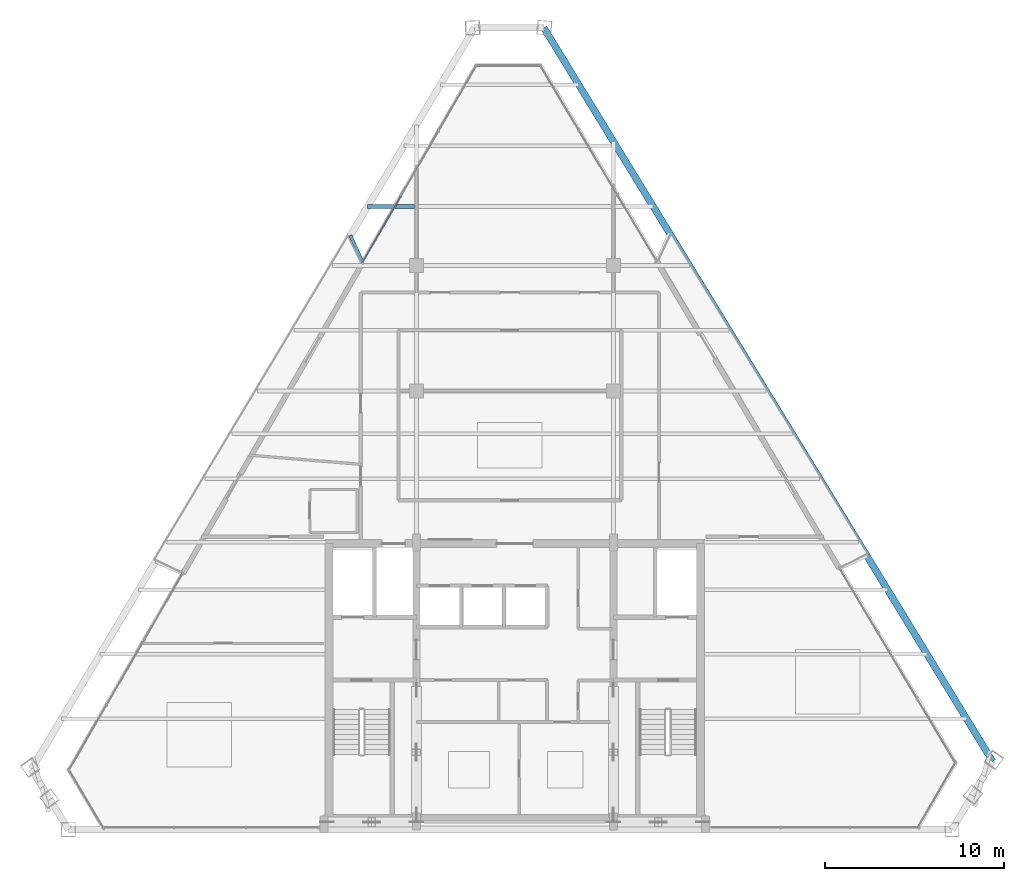
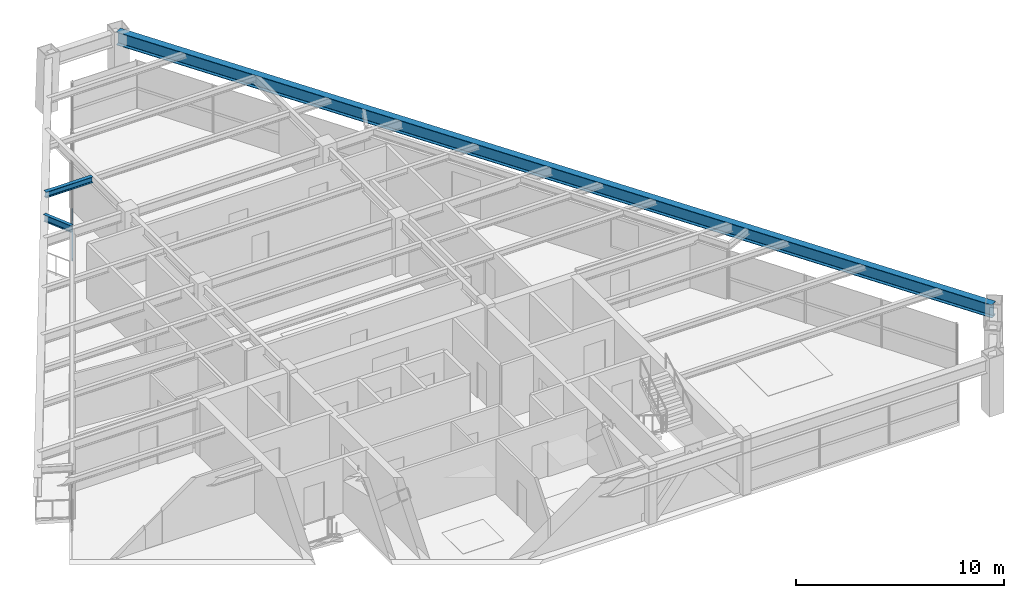
# One storey, part 6 of 13: 3 beams, 1 member, 1 element without a shape of its own.
"""IFC4 building model written with IfcOpenShell, lengths in metres."""

from ifc_helpers import new_model, si_unit, direction, frame, origin, origin_2d, place, context, subcontext, project, spatial, rectangle, i_section, extrude, source, transform, mapped, material, material_profile, profile_set, type_object, element, aggregate, save


model = new_model("IFC4")

# Units and contexts
model_context = context("Model", 3, precision=1e-05, world=origin(), true_north=direction((0.0, 1.0)))
body_context = subcontext(model_context, "Body", "Model", "MODEL_VIEW")
ifc_project = project(units=[si_unit("LENGTHUNIT", "METRE"), si_unit("AREAUNIT", "SQUARE_METRE"), si_unit("VOLUMEUNIT", "CUBIC_METRE"), si_unit("PLANEANGLEUNIT", "RADIAN"), si_unit("MASSUNIT", "GRAM", prefix="KILO")], contexts=[model_context])

# Site, building, storey
site_placement = place(None, origin())
site = spatial("IfcSite", under=ifc_project, at=site_placement, CompositionType="ELEMENT")
building_placement = place(site_placement, origin())
building = spatial("IfcBuilding", under=site, at=building_placement, Name="Varnakhor Terracotta Tower", CompositionType="ELEMENT")
storey_placement = place(building_placement, frame((0.0, 0.0, 273.0)))
storey = spatial("IfcBuildingStorey", under=building, at=storey_placement, Name="L71", CompositionType="ELEMENT", Elevation=273.0)

# Beams
ifc_material_1 = material(Name="Steel S355", Category="steel")
ifc_material_profile_1 = material_profile(ifc_material_1, i_section(OverallWidth=0.381103515625, OverallDepth=0.77294921875, WebThickness=0.01708984375, FlangeThickness=0.027099609375, FilletRadius=0.01806640625, at=origin_2d()), Name="W30X173")
ifc_profile_set_1 = profile_set([ifc_material_profile_1], Name="Steel S355")
beam_type_1 = type_object("IfcBeamType", Name="BM-W30X173", PredefinedType="BEAM", material=ifc_profile_set_1)
shared_shape_1 = source(origin(), body_context, "Body", "SweptSolid", [
    extrude(i_section(OverallWidth=0.381103515625, OverallDepth=0.77294921875, WebThickness=0.01708984375, FlangeThickness=0.027099609375, FilletRadius=0.01806640625, at=origin_2d()), origin(), (0.0, 0.0, 1.0), 48.035400390625),
])
beam_1_placement = place(storey_placement, frame((26.68359375, 3.80712890625, 2.853515625), z_axis=(-0.521812203402, 0.8530603873, 0.0), x_axis=(-0.8530603873, -0.521812203402, 0.0)))
element("IfcBeam", 1, at=beam_1_placement, inside=storey, type_object=beam_type_1, Name="L71 Perimeter Spandrel 4", PredefinedType="BEAM", context=body_context, shape_type="MappedRepresentation", body=[
    mapped(shared_shape_1, transform((0.0, 0.0, 0.0), scale=1.0)),
])
ifc_material_profile_2 = material_profile(ifc_material_1, i_section(OverallWidth=0.202880859375, OverallDepth=0.346923828125, WebThickness=0.0078125, FlangeThickness=0.013427734375, FilletRadius=0.01806640625, at=origin_2d()), Name="W14X43")
ifc_profile_set_2 = profile_set([ifc_material_profile_2], Name="Steel S355")
beam_type_2 = type_object("IfcBeamType", Name="JST-W14X43", PredefinedType="JOIST", material=ifc_profile_set_2)
shared_shape_2 = source(origin(), body_context, "Body", "SweptSolid", [
    extrude(i_section(OverallWidth=0.202880859375, OverallDepth=0.346923828125, WebThickness=0.0078125, FlangeThickness=0.013427734375, FilletRadius=0.01806640625, at=origin_2d()), origin(), (0.0, 0.0, 1.0), 2.61962890625),
])
beam_2_placement = place(storey_placement, frame((-8.22265625, 34.800048828125, 3.06640625), z_axis=(1.0, 0.0, 0.0), x_axis=(0.0, 1.0, 0.0)))
element("IfcBeam", 2, at=beam_2_placement, inside=storey, type_object=beam_type_2, Name="L71 Composite Floor Joist 7-1", PredefinedType="JOIST", context=body_context, shape_type="MappedRepresentation", body=[
    mapped(shared_shape_2, transform((0.0, 0.0, 0.0), scale=1.0)),
])
ifc_material_profile_3 = material_profile(ifc_material_1, i_section(OverallWidth=0.179931640625, OverallDepth=0.39990234375, WebThickness=0.008544921875, FlangeThickness=0.013427734375, FilletRadius=0.01806640625, at=origin_2d()), Name="IPE400")
ifc_profile_set_3 = profile_set([ifc_material_profile_3], Name="Steel S355")
beam_type_3 = type_object("IfcBeamType", Name="JST-IPE400", PredefinedType="JOIST", material=ifc_profile_set_3)
shared_shape_3 = source(origin(), body_context, "Body", "SweptSolid", [
    extrude(i_section(OverallWidth=0.179931640625, OverallDepth=0.39990234375, WebThickness=0.008544921875, FlangeThickness=0.013427734375, FilletRadius=0.01806640625, at=origin_2d()), origin(), (0.0, 0.0, 1.0), 1.634521484375),
])
beam_3_placement = place(storey_placement, frame((-8.50634765625, 31.70263671875, 3.0400390625), z_axis=(-0.415085435853, 0.909782436049, 0.0), x_axis=(-0.909782436049, -0.415085435853, 0.0)))
element("IfcBeam", 3, at=beam_3_placement, inside=storey, type_object=beam_type_3, Name="L72 W Loggia Tie Beam 2", PredefinedType="JOIST", context=body_context, shape_type="MappedRepresentation", body=[
    mapped(shared_shape_3, transform((0.0, 0.0, 0.0), scale=1.0)),
])

# Curtain wall, member
ifc_material_2 = material(Name="Anodised Aluminium Curtain Wall System", Category="aluminium")
curtain_wall_type = type_object("IfcCurtainWallType", Name="CW-SYS-HOTEL-LOGGIA", PredefinedType="NOTDEFINED", material=ifc_material_2)
curtain_wall_placement = place(storey_placement, origin())
curtain_wall = element("IfcCurtainWall", 4, at=curtain_wall_placement, inside=storey, type_object=curtain_wall_type, Name="L71 W Facet Curtain Wall 2", PredefinedType="NOTDEFINED")
ifc_material_3 = material(Name="Anodised Aluminium 6063-T6", Category="aluminium")
ifc_material_profile_4 = material_profile(ifc_material_3, rectangle(XDim=0.06494140625, YDim=0.14501953125, at=origin_2d()), Name="ALU TRANSOM 65x145")
ifc_profile_set_4 = profile_set([ifc_material_profile_4], Name="Anodised Aluminium 6063-T6")
member_type = type_object("IfcMemberType", Name="CWT-04", PredefinedType="USERDEFINED", material=ifc_profile_set_4)
shared_shape_4 = source(origin(), body_context, "Body", "SweptSolid", [
    extrude(rectangle(XDim=0.06494140625, YDim=0.14501953125, at=origin_2d()), origin(), (0.0, 0.0, 1.0), 4.233154296875),
])
member_placement = place(storey_placement, frame((-8.493408203125, 31.7001953125, 1.184326171875), z_axis=(0.500604256642, 0.865676254862, 0.0), x_axis=(-0.865676254862, 0.500604256642, 0.0)))
member = element("IfcMember", 5, at=member_placement, type_object=member_type, Name="L71 W Facet Curtain Wall 2 Transom 1", ObjectType="TRANSOM", PredefinedType="USERDEFINED", context=body_context, shape_type="MappedRepresentation", body=[
    mapped(shared_shape_4, transform((0.0, 0.0, 0.0), scale=1.0)),
])
aggregate(curtain_wall, [member])

save(model, "model.ifc")
